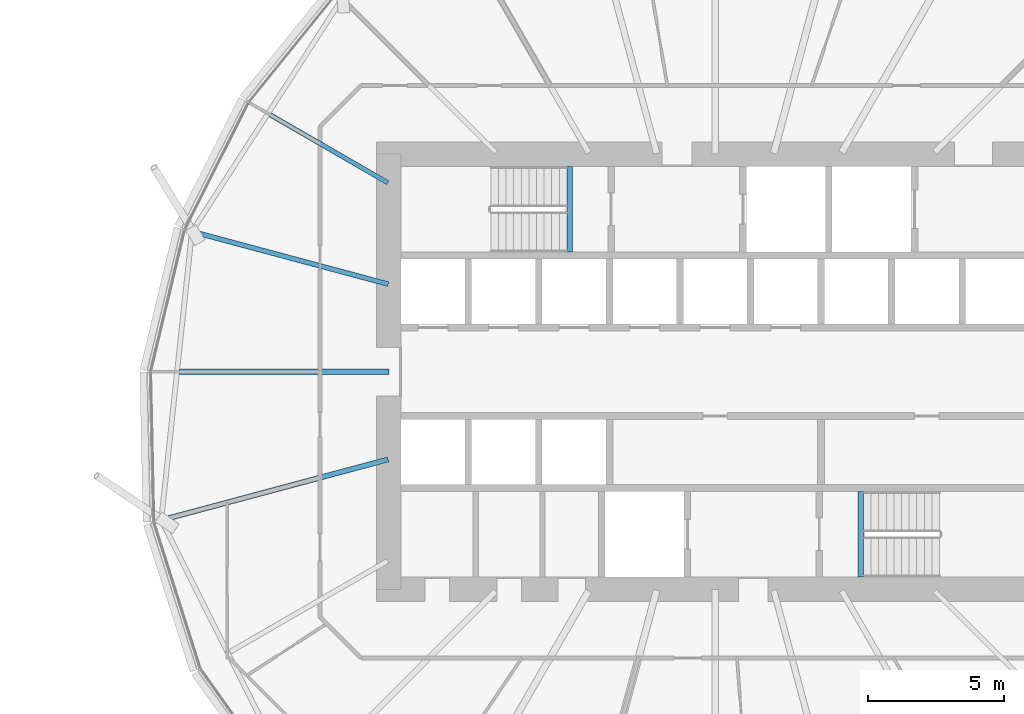
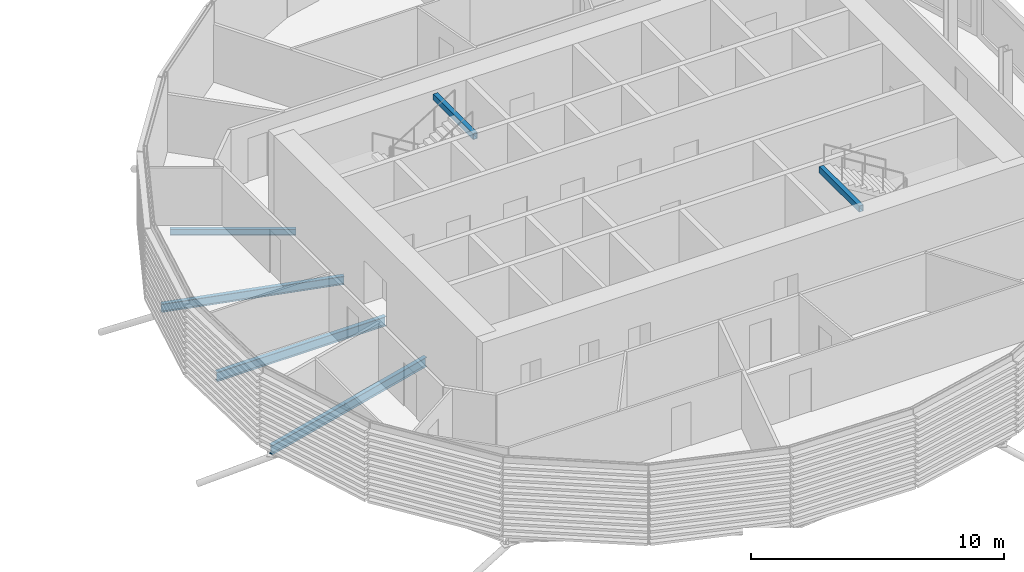
# One storey, part 14 of 36: 6 beams.
"""IFC4 building model written with IfcOpenShell, lengths in metres."""

from ifc_helpers import new_model, si_unit, direction, frame, origin, origin_2d, place, context, subcontext, project, spatial, hollow_rectangle, i_section, extrude, material, material_profile, profile_set, type_object, element, save


model = new_model("IFC4")

# Units and contexts
model_context = context("Model", 3, precision=1e-05, world=origin(), true_north=direction((0.0, 1.0)))
body_context = subcontext(model_context, "Body", "Model", "MODEL_VIEW")
ifc_project = project(units=[si_unit("LENGTHUNIT", "METRE"), si_unit("AREAUNIT", "SQUARE_METRE"), si_unit("VOLUMEUNIT", "CUBIC_METRE"), si_unit("PLANEANGLEUNIT", "RADIAN"), si_unit("MASSUNIT", "GRAM", prefix="KILO")], contexts=[model_context])

# Site, building, storey
site_placement = place(None, origin())
site = spatial("IfcSite", under=ifc_project, at=site_placement, CompositionType="ELEMENT")
building_placement = place(site_placement, origin())
building = spatial("IfcBuilding", under=site, at=building_placement, Name="Rimbun Link Towers", CompositionType="ELEMENT")
storey_placement = place(building_placement, frame((0.0, 0.0, 37.60009765625)))
storey = spatial("IfcBuildingStorey", under=building, at=storey_placement, Name="L08", CompositionType="ELEMENT", Elevation=37.60009765625)

# Beams
ifc_material_1 = material(Name="Steel S355J2", Category="steel")
ifc_material_profile_1 = material_profile(ifc_material_1, hollow_rectangle(XDim=0.199951171875, YDim=0.300048828125, WallThickness=0.011962890625, at=origin_2d()), Name="BOX 300x200x12")
ifc_profile_set_1 = profile_set([ifc_material_profile_1], Name="Steel S355J2")
beam_type_1 = type_object("IfcBeamType", Name="Stair trimmer beam BOX 300x200x12", PredefinedType="BEAM", material=ifc_profile_set_1)
for number, where, z_axis, x_axis, name in (
    (1, (26.39990234375, 7.550048828125, 3.489990234375), (0.0, -1.0, 0.0), (1.0, 0.0, 0.0), "L08 ST3 stair beam 1"),
    (2, (37.10009765625, -7.550048828125, 3.489990234375), (0.0, 1.0, 0.0), (-1.0, 0.0, 0.0), "L08 ST4 stair beam 1"),
):
    element("IfcBeam", number, at=place(storey_placement, frame(where, z_axis=z_axis, x_axis=x_axis)), inside=storey, type_object=beam_type_1, Name=name, PredefinedType="BEAM", context=body_context, shape_type="SweptSolid", body=[
        extrude(hollow_rectangle(XDim=0.199951171875, YDim=0.300048828125, WallThickness=0.011962890625, at=origin_2d()), origin(), (0.0, 0.0, 1.0), 3.150146484375),
    ])
ifc_material_2 = material(Name="Steel S355J2", Category="steel")
ifc_material_profile_2 = material_profile(ifc_material_2, i_section(OverallWidth=0.1650390625, OverallDepth=0.303466796875, WebThickness=0.006103515625, FlangeThickness=0.01025390625, at=origin_2d()), Name="UB 305x165x40")
ifc_profile_set_2 = profile_set([ifc_material_profile_2], Name="Steel S355J2")
beam_type_2 = type_object("IfcBeamType", Name="UB 305x165x40", PredefinedType="BEAM", material=ifc_profile_set_2)
beam_1_placement = place(storey_placement, frame((19.7080078125, 6.952392578125, -0.311767578125), z_axis=(-0.866028394472, 0.499994819941, 0.0), x_axis=(-0.499994819941, -0.866028394472, 0.0)))
element("IfcBeam", 3, at=beam_1_placement, inside=storey, type_object=beam_type_2, Name="Radial beam T2 L08 07", PredefinedType="BEAM", context=body_context, shape_type="SweptSolid", body=[
    extrude(i_section(OverallWidth=0.1650390625, OverallDepth=0.303466796875, WebThickness=0.006103515625, FlangeThickness=0.01025390625, at=origin_2d()), origin(), (0.0, 0.0, 1.0), 4.99169921875),
])
ifc_material_3 = material(Name="Steel S355J2", Category="steel")
ifc_material_profile_3 = material_profile(ifc_material_3, i_section(OverallWidth=0.177978515625, OverallDepth=0.406494140625, WebThickness=0.0078125, FlangeThickness=0.0126953125, at=origin_2d()), Name="UB 406x178x60")
ifc_profile_set_3 = profile_set([ifc_material_profile_3], Name="Steel S355J2")
beam_type_3 = type_object("IfcBeamType", Name="UB 406x178x60", PredefinedType="BEAM", material=ifc_profile_set_3)
beam_2_placement = place(storey_placement, frame((19.72607421875, 3.2216796875, -0.36328125), z_axis=(-0.965924997945, 0.258822136505, 0.0), x_axis=(-0.258822136505, -0.965924997945, 0.0)))
element("IfcBeam", 4, at=beam_2_placement, inside=storey, type_object=beam_type_3, Name="Radial beam T2 L08 08", PredefinedType="BEAM", context=body_context, shape_type="SweptSolid", body=[
    extrude(i_section(OverallWidth=0.177978515625, OverallDepth=0.406494140625, WebThickness=0.0078125, FlangeThickness=0.0126953125, at=origin_2d()), origin(), (0.0, 0.0, 1.0), 7.46875),
])
ifc_material_4 = material(Name="Steel S355J2", Category="steel")
ifc_material_profile_4 = material_profile(ifc_material_4, i_section(OverallWidth=0.18994140625, OverallDepth=0.453369140625, WebThickness=0.008544921875, FlangeThickness=0.0126953125, at=origin_2d()), Name="UB 457x191x67")
ifc_profile_set_4 = profile_set([ifc_material_profile_4], Name="Steel S355J2")
beam_type_4 = type_object("IfcBeamType", Name="UB 457x191x67", PredefinedType="BEAM", material=ifc_profile_set_4)
beam_3_placement = place(storey_placement, frame((19.7490234375, 0.0, -0.38671875), z_axis=(-1.0, 0.0, 0.0), x_axis=(0.0, -1.0, 0.0)))
element("IfcBeam", 5, at=beam_3_placement, inside=storey, type_object=beam_type_4, Name="Radial beam T2 L08 09", PredefinedType="BEAM", context=body_context, shape_type="SweptSolid", body=[
    extrude(i_section(OverallWidth=0.18994140625, OverallDepth=0.453369140625, WebThickness=0.008544921875, FlangeThickness=0.0126953125, at=origin_2d()), origin(), (0.0, 0.0, 1.0), 7.69580078125),
])
beam_4_placement = place(storey_placement, frame((19.724609375, -3.22216796875, -0.38671875), z_axis=(-0.965923195785, -0.258828862078, 0.0), x_axis=(0.258828862078, -0.965923195785, 0.0)))
element("IfcBeam", 6, at=beam_4_placement, inside=storey, type_object=beam_type_4, Name="Radial beam T2 L08 10", PredefinedType="BEAM", context=body_context, shape_type="SweptSolid", body=[
    extrude(i_section(OverallWidth=0.18994140625, OverallDepth=0.453369140625, WebThickness=0.008544921875, FlangeThickness=0.0126953125, at=origin_2d()), origin(), (0.0, 0.0, 1.0), 8.637451171875),
])

save(model, "model.ifc")
